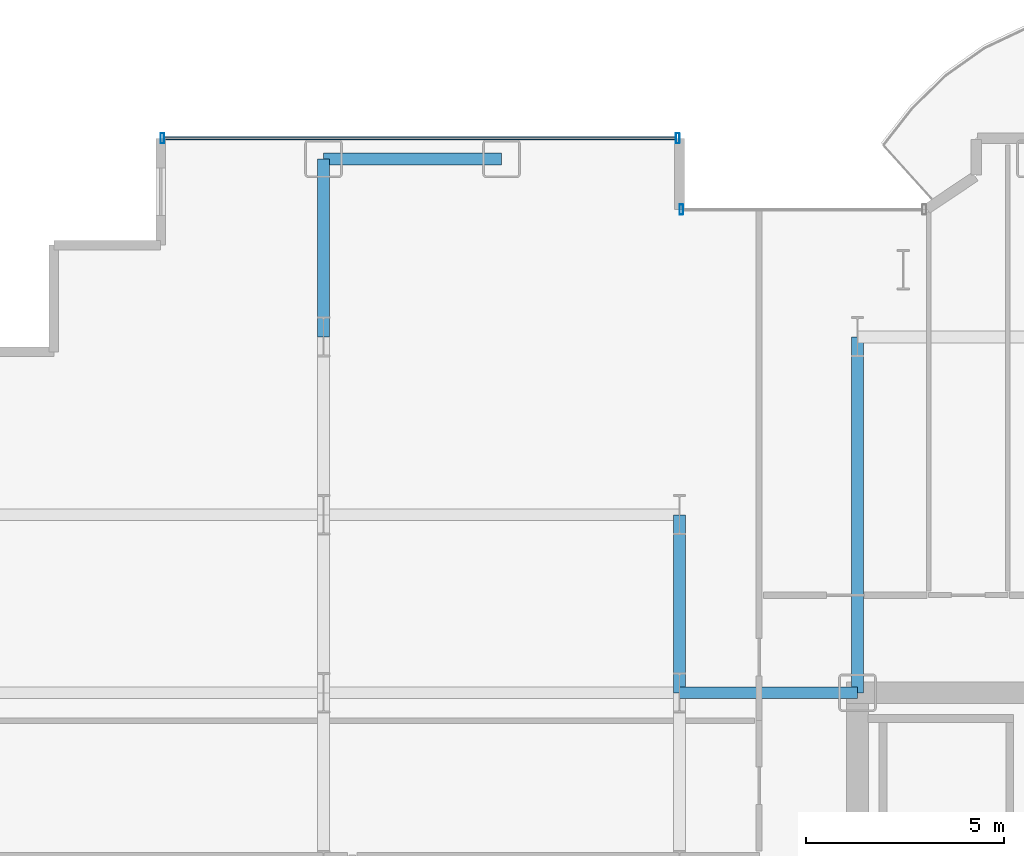
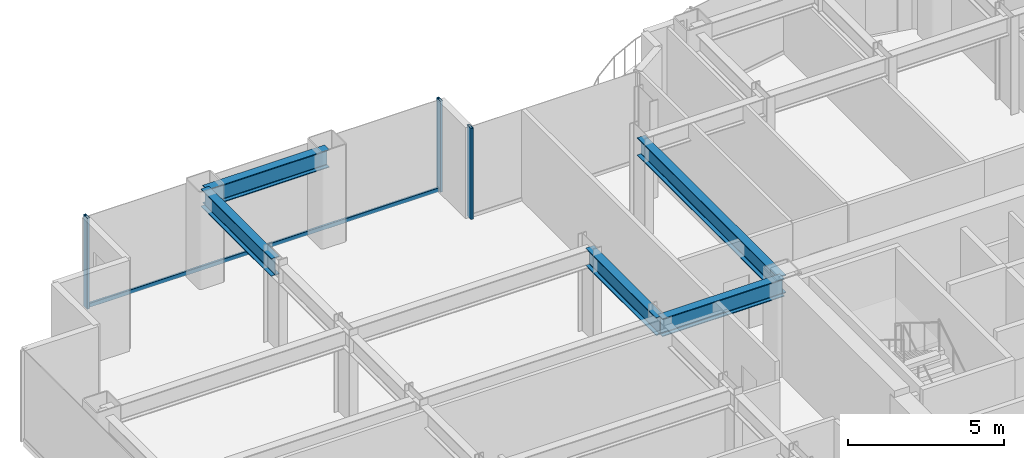
# One storey, part 12 of 29: 5 beams, 4 members, 2 elements without a shape of their own.
"""IFC4 building model written with IfcOpenShell, lengths in metres."""

from ifc_helpers import new_model, si_unit, direction, frame, origin, origin_2d, place, context, subcontext, project, spatial, hollow_rectangle, i_section, extrude, source, transform, mapped, material, layer, layer_set, material_profile, profile_set, type_object, element, aggregate, save


model = new_model("IFC4")

# Units and contexts
model_context = context("Model", 3, precision=1e-05, world=origin(), true_north=direction((0.0, 1.0)))
body_context = subcontext(model_context, "Body", "Model", "MODEL_VIEW")
ifc_project = project(units=[si_unit("LENGTHUNIT", "METRE"), si_unit("AREAUNIT", "SQUARE_METRE"), si_unit("VOLUMEUNIT", "CUBIC_METRE"), si_unit("PLANEANGLEUNIT", "RADIAN"), si_unit("MASSUNIT", "GRAM", prefix="KILO")], contexts=[model_context])

# Site, building, storey
site_placement = place(None, origin())
site = spatial("IfcSite", under=ifc_project, at=site_placement, CompositionType="ELEMENT")
building_placement = place(site_placement, origin())
building = spatial("IfcBuilding", under=site, at=building_placement, Name="Nefas-Gora Pilgrimage Tower", CompositionType="ELEMENT")
storey_placement = place(building_placement, frame((0.0, 0.0, 90.800048828125)))
storey = spatial("IfcBuildingStorey", under=building, at=storey_placement, Name="L21", CompositionType="ELEMENT", Elevation=90.800048828125)

# Beams
ifc_material_1 = material(Name="Steel S355", Category="steel")
ifc_material_profile_1 = material_profile(ifc_material_1, i_section(OverallWidth=0.300048828125, OverallDepth=0.699951171875, WebThickness=0.01708984375, FlangeThickness=0.031982421875, FilletRadius=0.027099609375, at=origin_2d()), Name="HEB 700")
ifc_profile_set_1 = profile_set([ifc_material_profile_1], Name="Steel S355")
beam_type_1 = type_object("IfcBeamType", Name="BM-SPN-HEB600", PredefinedType="SPANDREL", material=ifc_profile_set_1)
shared_shape_1 = source(origin(), body_context, "Body", "SweptSolid", [
    extrude(i_section(OverallWidth=0.300048828125, OverallDepth=0.699951171875, WebThickness=0.01708984375, FlangeThickness=0.031982421875, FilletRadius=0.027099609375, at=origin_2d()), origin(), (0.0, 0.0, 1.0), 4.5),
])
beam_1_placement = place(storey_placement, frame((-24.75, 22.5, 3.199951171875), z_axis=(1.0, 0.0, 0.0), x_axis=(0.0, 1.0, 0.0)))
element("IfcBeam", 1, at=beam_1_placement, inside=storey, type_object=beam_type_1, Name="L21 SP-01 beam", PredefinedType="SPANDREL", context=body_context, shape_type="MappedRepresentation", body=[
    mapped(shared_shape_1, transform((0.0, 0.0, 0.0), x_axis=(1.0, 0.0, 0.0), y_axis=(0.0, 1.0, 0.0), z_axis=(0.0, 0.0, 1.0), scale=1.0)),
])
ifc_material_profile_2 = material_profile(ifc_material_1, i_section(OverallWidth=0.300048828125, OverallDepth=0.699951171875, WebThickness=0.01708984375, FlangeThickness=0.031982421875, FilletRadius=0.027099609375, at=origin_2d()), Name="HEB 700")
ifc_profile_set_2 = profile_set([ifc_material_profile_2], Name="Steel S355")
beam_type_2 = type_object("IfcBeamType", Name="BM-GIR-HEB700", PredefinedType="BEAM", material=ifc_profile_set_2)
shared_shape_2 = source(origin(), body_context, "Body", "SweptSolid", [
    extrude(i_section(OverallWidth=0.300048828125, OverallDepth=0.699951171875, WebThickness=0.01708984375, FlangeThickness=0.031982421875, FilletRadius=0.027099609375, at=origin_2d()), origin(), (0.0, 0.0, 1.0), 9.0),
])
beam_2_placement = place(storey_placement, frame((-11.25, 9.0, 3.199951171875), z_axis=(0.0, 1.0, 0.0), x_axis=(-1.0, 0.0, 0.0)))
element("IfcBeam", 2, at=beam_2_placement, inside=storey, type_object=beam_type_2, Name="L21 G-02 beam", PredefinedType="BEAM", context=body_context, shape_type="MappedRepresentation", body=[
    mapped(shared_shape_2, transform((0.0, 0.0, 0.0), x_axis=(1.0, 0.0, 0.0), y_axis=(0.0, 1.0, 0.0), z_axis=(0.0, 0.0, 1.0), scale=1.0)),
])
shared_shape_3 = source(origin(), body_context, "Body", "SweptSolid", [
    extrude(i_section(OverallWidth=0.300048828125, OverallDepth=0.699951171875, WebThickness=0.01708984375, FlangeThickness=0.031982421875, FilletRadius=0.027099609375, at=origin_2d()), origin(), (0.0, 0.0, 1.0), 4.5),
])
for number, where, z_axis, x_axis, name in (
    (3, (-24.75, 18.0, 3.199951171875), (0.0, 1.0, 0.0), (-1.0, 0.0, 0.0), "L21 G-02 beam"),
    (4, (-15.75, 9.0, 3.199951171875), (0.0, 1.0, 0.0), (-1.0, 0.0, 0.0), "L21 G-02 beam"),
    (5, (-15.75, 9.0, 3.199951171875), (1.0, 0.0, 0.0), (0.0, 1.0, 0.0), "L21 G-02 beam"),
):
    element("IfcBeam", number, at=place(storey_placement, frame(where, z_axis=z_axis, x_axis=x_axis)), inside=storey, type_object=beam_type_2, Name=name, PredefinedType="BEAM", context=body_context, shape_type="MappedRepresentation", body=[
        mapped(shared_shape_3, transform((0.0, 0.0, 0.0), x_axis=(1.0, 0.0, 0.0), y_axis=(0.0, 1.0, 0.0), z_axis=(0.0, 0.0, 1.0), scale=1.0)),
    ])

# Curtain wall, member
ifc_material_2 = material(Name="Dark ceramic-fritted solar-control aluminium-glass curtain wall", Category="aluminium")
ifc_layer_1 = layer(ifc_material_2, 0.219970703125)
ifc_layer_set_1 = layer_set([ifc_layer_1], Name="Dark ceramic-fritted solar-control aluminium-glass curtain wall")
curtain_wall_type_1 = type_object("IfcCurtainWallType", Name="CW-SYS-5", PredefinedType="NOTDEFINED", material=ifc_layer_set_1)
curtain_wall_1_placement = place(storey_placement, origin())
curtain_wall_1 = element("IfcCurtainWall", 6, at=curtain_wall_1_placement, inside=storey, type_object=curtain_wall_type_1, Name="L21 Unitised Curtain Wall CW5", PredefinedType="NOTDEFINED")
ifc_material_3 = material(Name="Anodised architectural aluminium", Category="aluminium")
ifc_material_profile_3 = material_profile(ifc_material_3, hollow_rectangle(XDim=0.090087890625, YDim=0.260009765625, WallThickness=0.006103515625, InnerFilletRadius=0.006103515625, OuterFilletRadius=0.011962890625, at=origin_2d()), Name="ALU MULLION 90x260")
ifc_profile_set_3 = profile_set([ifc_material_profile_3], Name="Anodised architectural aluminium")
member_type_1 = type_object("IfcMemberType", Name="CWM-MUL-5", PredefinedType="MULLION", material=ifc_profile_set_3)
shared_shape_4 = source(origin(), body_context, "Body", "SweptSolid", [
    extrude(hollow_rectangle(XDim=0.090087890625, YDim=0.260009765625, WallThickness=0.006103515625, InnerFilletRadius=0.006103515625, OuterFilletRadius=0.011962890625, at=origin_2d()), origin(), (0.0, 0.0, 1.0), 3.550048828125),
])
member_1_placement = place(storey_placement, frame((-15.705078125, 21.219970703125, 0.0), z_axis=(0.0, 0.0, 1.0), x_axis=(-1.0, 0.0, 0.0)))
member_1 = element("IfcMember", 7, at=member_1_placement, type_object=member_type_1, Name="CW5 Mullion 2", PredefinedType="MULLION", context=body_context, shape_type="MappedRepresentation", body=[
    mapped(shared_shape_4, transform((0.0, 0.0, 0.0), x_axis=(1.0, 0.0, 0.0), y_axis=(0.0, 1.0, 0.0), z_axis=(0.0, 0.0, 1.0), scale=1.0)),
])
aggregate(curtain_wall_1, [member_1])

# Curtain wall, members
ifc_layer_2 = layer(ifc_material_2, 0.219970703125)
ifc_layer_set_2 = layer_set([ifc_layer_2], Name="Dark ceramic-fritted solar-control aluminium-glass curtain wall")
curtain_wall_type_2 = type_object("IfcCurtainWallType", Name="CW-SYS-2", PredefinedType="NOTDEFINED", material=ifc_layer_set_2)
curtain_wall_2_placement = place(storey_placement, origin())
curtain_wall_2 = element("IfcCurtainWall", 8, at=curtain_wall_2_placement, inside=storey, type_object=curtain_wall_type_2, Name="L21 Unitised Curtain Wall CW2", PredefinedType="NOTDEFINED")
ifc_material_profile_4 = material_profile(ifc_material_3, hollow_rectangle(XDim=0.090087890625, YDim=0.260009765625, WallThickness=0.006103515625, InnerFilletRadius=0.006103515625, OuterFilletRadius=0.011962890625, at=origin_2d()), Name="ALU MULLION 90x260")
ifc_profile_set_4 = profile_set([ifc_material_profile_4], Name="Anodised architectural aluminium")
member_type_2 = type_object("IfcMemberType", Name="CWM-MUL-2", PredefinedType="MULLION", material=ifc_profile_set_4)
shared_shape_5 = source(origin(), body_context, "Body", "SweptSolid", [
    extrude(hollow_rectangle(XDim=0.090087890625, YDim=0.260009765625, WallThickness=0.006103515625, InnerFilletRadius=0.006103515625, OuterFilletRadius=0.011962890625, at=origin_2d()), origin(), (0.0, 0.0, 1.0), 3.550048828125),
])
member_2_placement = place(storey_placement, frame((-15.794921875, 23.02001953125, 0.0), z_axis=(0.0, 0.0, 1.0), x_axis=(-1.0, 0.0, 0.0)))
member_2 = element("IfcMember", 9, at=member_2_placement, type_object=member_type_2, Name="CW2 Mullion 1", PredefinedType="MULLION", context=body_context, shape_type="MappedRepresentation", body=[
    mapped(shared_shape_5, transform((0.0, 0.0, 0.0), x_axis=(1.0, 0.0, 0.0), y_axis=(0.0, 1.0, 0.0), z_axis=(0.0, 0.0, 1.0), scale=1.0)),
])
member_3_placement = place(storey_placement, frame((-28.824951171875, 23.02001953125, 0.0), z_axis=(0.0, 0.0, 1.0), x_axis=(-1.0, 0.0, 0.0)))
member_3 = element("IfcMember", 10, at=member_3_placement, type_object=member_type_2, Name="CW2 Mullion 2", PredefinedType="MULLION", context=body_context, shape_type="MappedRepresentation", body=[
    mapped(shared_shape_5, transform((0.0, 0.0, 0.0), x_axis=(1.0, 0.0, 0.0), y_axis=(0.0, 1.0, 0.0), z_axis=(0.0, 0.0, 1.0), scale=1.0)),
])
ifc_material_profile_5 = material_profile(ifc_material_3, hollow_rectangle(XDim=0.080078125, YDim=0.159912109375, WallThickness=0.00439453125, InnerFilletRadius=0.00439453125, OuterFilletRadius=0.009033203125, at=origin_2d()), Name="ALU TRANSOM 80x160")
ifc_profile_set_5 = profile_set([ifc_material_profile_5], Name="Anodised architectural aluminium")
member_type_3 = type_object("IfcMemberType", Name="CWM-TRN-2", PredefinedType="USERDEFINED", material=ifc_profile_set_5)
shared_shape_6 = source(origin(), body_context, "Body", "SweptSolid", [
    extrude(hollow_rectangle(XDim=0.080078125, YDim=0.159912109375, WallThickness=0.00439453125, InnerFilletRadius=0.00439453125, OuterFilletRadius=0.009033203125, at=origin_2d()), origin(), (0.0, 0.0, 1.0), 12.93994140625),
])
member_4_placement = place(storey_placement, frame((-15.840087890625, 23.02001953125, 0.050048828125), z_axis=(-1.0, 0.0, 0.0), x_axis=(0.0, -1.0, 0.0)))
member_4 = element("IfcMember", 11, at=member_4_placement, type_object=member_type_3, Name="CW2 Spandrel Transom", ObjectType="TRANSOM", PredefinedType="USERDEFINED", context=body_context, shape_type="MappedRepresentation", body=[
    mapped(shared_shape_6, transform((0.0, 0.0, 0.0), x_axis=(1.0, 0.0, 0.0), y_axis=(0.0, 1.0, 0.0), z_axis=(0.0, 0.0, 1.0), scale=1.0)),
])
aggregate(curtain_wall_2, [member_2, member_3, member_4])

save(model, "model.ifc")
